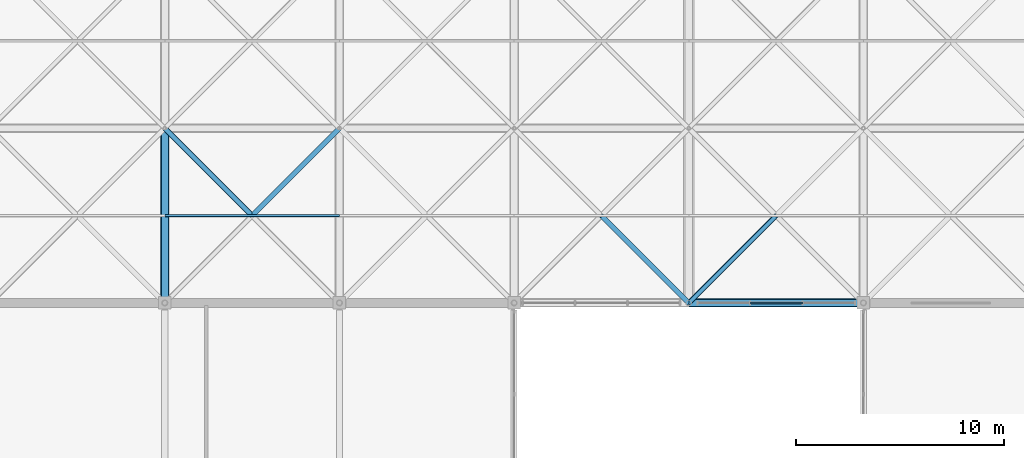
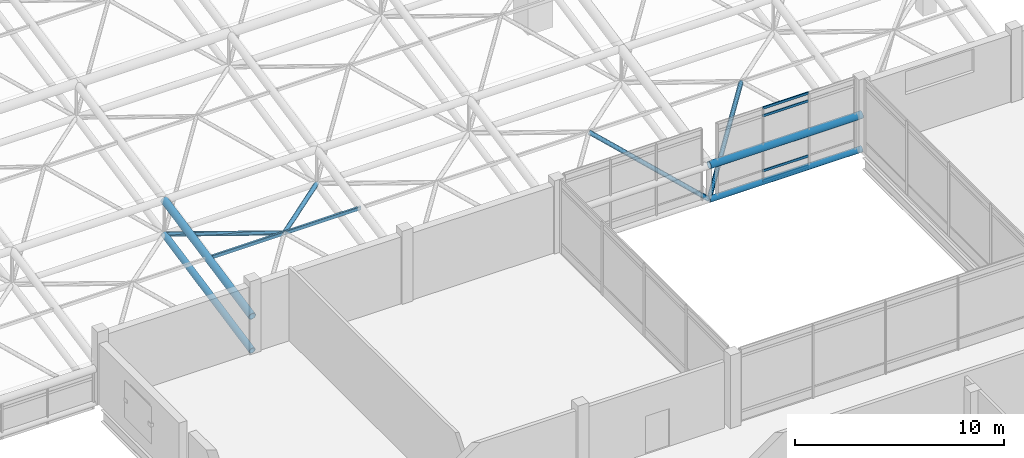
# One storey, part 10 of 81: 13 members, 1 element without a shape of its own.
"""IFC4 building model written with IfcOpenShell, lengths in metres."""

from ifc_helpers import new_model, si_unit, direction, frame, origin, origin_2d, place, context, subcontext, project, spatial, rectangle, hollow_rectangle, hollow_circle, extrude, material, layer, layer_set, material_profile, profile_set, type_object, element, aggregate, save


model = new_model("IFC4")

# Units and contexts
model_context = context("Model", 3, precision=1e-05, world=origin(), true_north=direction((0.0, 1.0)))
body_context = subcontext(model_context, "Body", "Model", "MODEL_VIEW")
ifc_project = project(units=[si_unit("LENGTHUNIT", "METRE"), si_unit("AREAUNIT", "SQUARE_METRE"), si_unit("VOLUMEUNIT", "CUBIC_METRE"), si_unit("PLANEANGLEUNIT", "RADIAN"), si_unit("MASSUNIT", "GRAM", prefix="KILO")], contexts=[model_context])

# Site, building, storey
site_placement = place(None, origin())
site = spatial("IfcSite", under=ifc_project, at=site_placement, CompositionType="ELEMENT")
building_placement = place(site_placement, origin())
building = spatial("IfcBuilding", under=site, at=building_placement, Name="Qawsi Khor Wholesale Market", CompositionType="ELEMENT")
storey_placement = place(building_placement, frame((0.0, 0.0, 16.199951171875)))
storey = spatial("IfcBuildingStorey", under=building, at=storey_placement, Name="L03", CompositionType="ELEMENT", Elevation=16.199951171875)

# Curtain wall, members
ifc_material_1 = material(Name="Aluminium Anodised Bronze", Category="aluminium")
ifc_layer = layer(ifc_material_1, 0.179931640625, Name="Aluminium Anodised Bronze")
ifc_layer_set = layer_set([ifc_layer], Name="Aluminium Anodised Bronze")
curtain_wall_type = type_object("IfcCurtainWallType", Name="Atrium Full-Height Curtain Wall CW-02", PredefinedType="NOTDEFINED", material=ifc_layer_set)
curtain_wall_placement = place(storey_placement, origin())
curtain_wall = element("IfcCurtainWall", 1, at=curtain_wall_placement, inside=storey, type_object=curtain_wall_type, Name="Curtain wall CW-CW-02-L03-028", PredefinedType="NOTDEFINED")
ifc_material_profile_1 = material_profile(ifc_material_1, rectangle(XDim=0.06494140625, YDim=0.139892578125, at=origin_2d()), Name="ALU TRANSOM 65x140")
ifc_profile_set_1 = profile_set([ifc_material_profile_1], Name="Aluminium Anodised Bronze")
member_type_1 = type_object("IfcMemberType", Name="Curtain Wall Transom CW-02 ALU TRANSOM 65x140", PredefinedType="USERDEFINED", material=ifc_profile_set_1)
member_1_placement = place(storey_placement, frame((61.748291015625, 42.0, 0.0), z_axis=(1.0, 0.0, 0.0), x_axis=(0.0, 1.0, 0.0)))
member_1 = element("IfcMember", 2, at=member_1_placement, type_object=member_type_1, Name="Transom CW-CW-02-L03-028-T0_01", ObjectType="TRANSOM", PredefinedType="USERDEFINED", context=body_context, shape_type="SweptSolid", body=[
    extrude(rectangle(XDim=0.06494140625, YDim=0.139892578125, at=origin_2d()), origin(), (0.0, 0.0, 1.0), 2.5283203125),
])
member_2_placement = place(storey_placement, frame((61.748291015625, 42.0, 0.60009765625), z_axis=(1.0, 0.0, 0.0), x_axis=(0.0, 1.0, 0.0)))
member_2 = element("IfcMember", 3, at=member_2_placement, type_object=member_type_1, Name="Transom CW-CW-02-L03-028-T1_01", ObjectType="TRANSOM", PredefinedType="USERDEFINED", context=body_context, shape_type="SweptSolid", body=[
    extrude(rectangle(XDim=0.06494140625, YDim=0.139892578125, at=origin_2d()), origin(), (0.0, 0.0, 1.0), 2.5283203125),
])
member_3_placement = place(storey_placement, frame((61.748291015625, 42.0, 3.81005859375), z_axis=(1.0, 0.0, 0.0), x_axis=(0.0, 1.0, 0.0)))
member_3 = element("IfcMember", 4, at=member_3_placement, type_object=member_type_1, Name="Transom CW-CW-02-L03-028-T2_01", ObjectType="TRANSOM", PredefinedType="USERDEFINED", context=body_context, shape_type="SweptSolid", body=[
    extrude(rectangle(XDim=0.06494140625, YDim=0.139892578125, at=origin_2d()), origin(), (0.0, 0.0, 1.0), 2.5283203125),
])
member_4_placement = place(storey_placement, frame((61.748291015625, 42.0, 4.260009765625), z_axis=(1.0, 0.0, 0.0), x_axis=(0.0, 1.0, 0.0)))
member_4 = element("IfcMember", 5, at=member_4_placement, type_object=member_type_1, Name="Transom CW-CW-02-L03-028-T3_01", ObjectType="TRANSOM", PredefinedType="USERDEFINED", context=body_context, shape_type="SweptSolid", body=[
    extrude(rectangle(XDim=0.06494140625, YDim=0.139892578125, at=origin_2d()), origin(), (0.0, 0.0, 1.0), 2.5283203125),
])
aggregate(curtain_wall, [member_1, member_2, member_3, member_4])

# Members
ifc_material_2 = material(Name="Steel S355", Category="steel")
ifc_material_profile_2 = material_profile(ifc_material_2, hollow_circle(Radius=0.177734375, WallThickness=0.01611328125, at=origin_2d()), Name="CHS 355.6x16.0")
ifc_profile_set_2 = profile_set([ifc_material_profile_2], Name="Steel S355")
member_type_2 = type_object("IfcMemberType", Name="Space-Frame Bottom Chord CHS 355.6x16.0", PredefinedType="CHORD", material=ifc_profile_set_2)
member_5_placement = place(storey_placement, frame((33.60009765625, 42.0, -0.030029296875), z_axis=(0.0, 0.9801244518, 0.198383615716), x_axis=(-1.0, 0.0, 0.0)))
element("IfcMember", 6, at=member_5_placement, inside=storey, type_object=member_type_2, Name="Space frame bottom chord Y WH (4,5)", PredefinedType="CHORD", context=body_context, shape_type="SweptSolid", body=[
    extrude(hollow_circle(Radius=0.177734375, WallThickness=0.01611328125, at=origin_2d()), origin(), (0.0, 0.0, 1.0), 8.5703125),
])
ifc_material_profile_3 = material_profile(ifc_material_2, hollow_circle(Radius=0.122314453125, WallThickness=0.012451171875, at=origin_2d()), Name="CHS 244.5x12.5")
ifc_profile_set_3 = profile_set([ifc_material_profile_3], Name="Steel S355")
member_type_3 = type_object("IfcMemberType", Name="Space-Frame Heavy Diagonal CHS 244.5x12.5", PredefinedType="POST", material=ifc_profile_set_3)
for number, where, z_axis, x_axis, name in (
    (7, (42.0, 50.39990234375, 1.670166015625), (-0.694216714393, -0.694216714393, 0.190069216113), (0.707106781187, -0.707106781187, 0.0), "Space frame diagonal WH (4,5)-3"),
    (8, (33.60009765625, 50.39990234375, 1.670166015625), (0.694216714393, -0.694216714393, 0.190069216113), (0.707106781187, 0.707106781187, 0.0), "Space frame diagonal WH (4,5)-4"),
):
    element("IfcMember", number, at=place(storey_placement, frame(where, z_axis=z_axis, x_axis=x_axis)), inside=storey, type_object=member_type_3, Name=name, PredefinedType="POST", context=body_context, shape_type="SweptSolid", body=[
        extrude(hollow_circle(Radius=0.122314453125, WallThickness=0.012451171875, at=origin_2d()), origin(), (0.0, 0.0, 1.0), 6.0498046875),
    ])
for number, where, z_axis, x_axis, name in (
    (9, (58.800048828125, 42.0, -0.030029296875), (-0.637511741089, 0.637511741089, 0.432617105474), (-0.707106781187, -0.707106781187, 0.0), "Space frame diagonal WH (6,5)-2"),
    (10, (58.800048828125, 42.0, -0.030029296875), (0.637511741089, 0.637511741089, 0.432617105474), (-0.707106781187, 0.707106781187, 0.0), "Space frame diagonal WH (7,5)-1"),
):
    element("IfcMember", number, at=place(storey_placement, frame(where, z_axis=z_axis, x_axis=x_axis)), inside=storey, type_object=member_type_3, Name=name, PredefinedType="POST", context=body_context, shape_type="SweptSolid", body=[
        extrude(hollow_circle(Radius=0.122314453125, WallThickness=0.012451171875, at=origin_2d()), origin(), (0.0, 0.0, 1.0), 6.588134765625),
    ])
ifc_material_profile_4 = material_profile(ifc_material_2, hollow_rectangle(XDim=0.1201171875, YDim=0.199951171875, WallThickness=0.008056640625, InnerFilletRadius=0.008056640625, OuterFilletRadius=0.01611328125, at=origin_2d()), Name="RHS 200x120x8.0")
ifc_profile_set_4 = profile_set([ifc_material_profile_4], Name="Steel S355")
member_type_4 = type_object("IfcMemberType", Name="Space-Frame Heavy Purlin RHS 200x120x8.0", PredefinedType="PURLIN", material=ifc_profile_set_4)
member_6_placement = place(storey_placement, frame((33.60009765625, 46.199951171875, 2.820068359375), z_axis=(1.0, 0.0, 0.0), x_axis=(0.0, 1.0, 0.0)))
element("IfcMember", 11, at=member_6_placement, inside=storey, type_object=member_type_4, Name="Space frame purlin WH (4,5)", PredefinedType="PURLIN", context=body_context, shape_type="SweptSolid", body=[
    extrude(hollow_rectangle(XDim=0.1201171875, YDim=0.199951171875, WallThickness=0.008056640625, InnerFilletRadius=0.008056640625, OuterFilletRadius=0.01611328125, at=origin_2d()), origin(), (0.0, 0.0, 1.0), 8.39990234375),
])
ifc_material_profile_5 = material_profile(ifc_material_2, hollow_circle(Radius=0.161865234375, WallThickness=0.01611328125, at=origin_2d()), Name="CHS 323.9x16.0")
ifc_profile_set_5 = profile_set([ifc_material_profile_5], Name="Steel S355")
member_type_5 = type_object("IfcMemberType", Name="Space-Frame Secondary Chord CHS 323.9x16.0", PredefinedType="CHORD", material=ifc_profile_set_5)
member_7_placement = place(storey_placement, frame((58.800048828125, 42.0, -0.030029296875), z_axis=(1.0, 0.0, 0.0), x_axis=(0.0, 1.0, 0.0)))
element("IfcMember", 12, at=member_7_placement, inside=storey, type_object=member_type_5, Name="Space frame bottom chord X WH (7,5)", PredefinedType="CHORD", context=body_context, shape_type="SweptSolid", body=[
    extrude(hollow_circle(Radius=0.161865234375, WallThickness=0.01611328125, at=origin_2d()), origin(), (0.0, 0.0, 1.0), 8.39990234375),
])
ifc_material_profile_6 = material_profile(ifc_material_2, hollow_circle(Radius=0.203125, WallThickness=0.02001953125, at=origin_2d()), Name="CHS 406.4x20.0")
ifc_profile_set_6 = profile_set([ifc_material_profile_6], Name="Steel S355")
member_type_6 = type_object("IfcMemberType", Name="Space-Frame Top Chord CHS 406.4x20.0", PredefinedType="CHORD", material=ifc_profile_set_6)
member_8_placement = place(storey_placement, frame((33.60009765625, 42.0, 1.969970703125), z_axis=(0.0, 0.9801244518, 0.198383615716), x_axis=(-1.0, 0.0, 0.0)))
element("IfcMember", 13, at=member_8_placement, inside=storey, type_object=member_type_6, Name="Space frame top chord Y WH (4,5)", PredefinedType="CHORD", context=body_context, shape_type="SweptSolid", body=[
    extrude(hollow_circle(Radius=0.203125, WallThickness=0.02001953125, at=origin_2d()), origin(), (0.0, 0.0, 1.0), 8.5703125),
])
member_9_placement = place(storey_placement, frame((58.800048828125, 42.0, 1.969970703125), z_axis=(1.0, 0.0, 0.0), x_axis=(0.0, 1.0, 0.0)))
element("IfcMember", 14, at=member_9_placement, inside=storey, type_object=member_type_6, Name="Space frame top chord X WH (7,5)", PredefinedType="CHORD", context=body_context, shape_type="SweptSolid", body=[
    extrude(hollow_circle(Radius=0.203125, WallThickness=0.02001953125, at=origin_2d()), origin(), (0.0, 0.0, 1.0), 8.39990234375),
])

save(model, "model.ifc")
